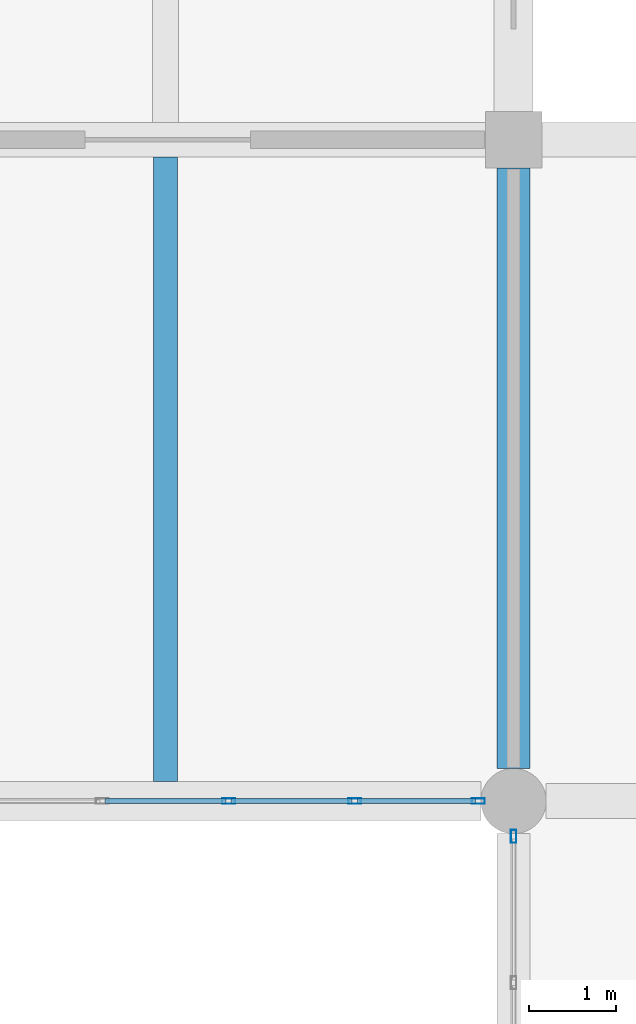
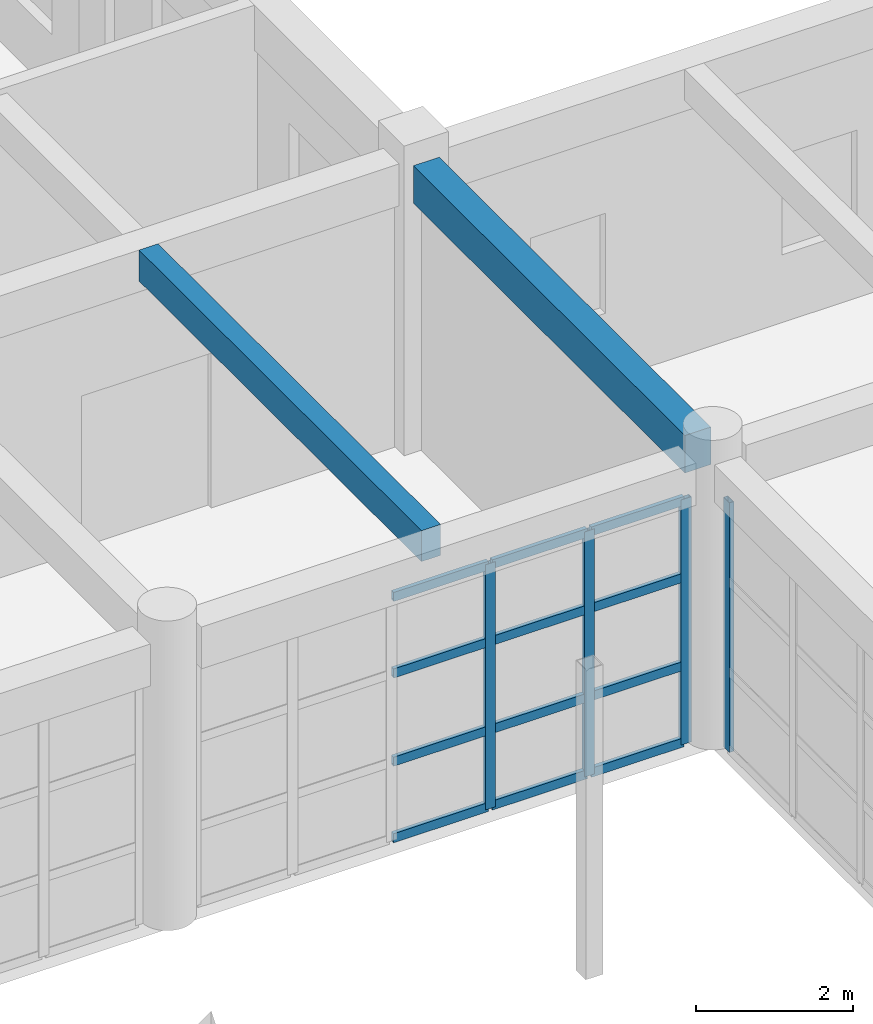
# One storey, part 59 of 101: 16 members, 2 beams, 2 elements without a shape of their own.
"""IFC4 building model written with IfcOpenShell, lengths in metres."""

from ifc_helpers import new_model, si_unit, direction, frame, origin, origin_2d, place, context, subcontext, project, spatial, rectangle, hollow_rectangle, extrude, material, material_profile, profile_set, type_object, element, aggregate, save


model = new_model("IFC4")

# Units and contexts
model_context = context("Model", 3, precision=1e-05, world=origin(), true_north=direction((0.0, 1.0)))
body_context = subcontext(model_context, "Body", "Model", "MODEL_VIEW")
ifc_project = project(units=[si_unit("LENGTHUNIT", "METRE"), si_unit("AREAUNIT", "SQUARE_METRE"), si_unit("VOLUMEUNIT", "CUBIC_METRE"), si_unit("PLANEANGLEUNIT", "RADIAN"), si_unit("MASSUNIT", "GRAM", prefix="KILO")], contexts=[model_context])

# Site, building, storey
site_placement = place(None, origin())
site = spatial("IfcSite", under=ifc_project, at=site_placement, CompositionType="ELEMENT")
building_placement = place(site_placement, origin())
building = spatial("IfcBuilding", under=site, at=building_placement, Name="Zantavel Square City Hall", CompositionType="ELEMENT")
storey_placement = place(building_placement, frame((0.0, 0.0, 5.39990234375)))
storey = spatial("IfcBuildingStorey", under=building, at=storey_placement, Name="L02", CompositionType="ELEMENT", Elevation=5.39990234375)

# Beam
ifc_material_1 = material(Name="Concrete C35/45", Category="concrete")
ifc_material_profile_1 = material_profile(ifc_material_1, rectangle(XDim=0.3798828125, YDim=0.580078125, at=origin_2d()), Name="RC 380x580")
ifc_profile_set_1 = profile_set([ifc_material_profile_1], Name="Concrete C35/45")
beam_type_1 = type_object("IfcBeamType", Name="Annex Secondary Beam RC 380x580 C35/45", PredefinedType="BEAM", material=ifc_profile_set_1)
beam_1_placement = place(storey_placement, frame((152.0, 68.77490234375, 4.16015625), z_axis=(0.0, 1.0, 0.0), x_axis=(-1.0, 0.0, 0.0)))
element("IfcBeam", 1, at=beam_1_placement, inside=storey, type_object=beam_type_1, Name="L02 Beam BMY-L02-1520-0684", PredefinedType="BEAM", context=body_context, shape_type="SweptSolid", body=[
    extrude(rectangle(XDim=0.3798828125, YDim=0.580078125, at=origin_2d()), origin(), (0.0, 0.0, 1.0), 6.900146484375),
])

# Curtain wall, member
ifc_material_2 = material(Name="Anodised aluminium 6063-T6", Category="aluminium")
curtain_wall_type_1 = type_object("IfcCurtainWallType", Name="Curtain Wall CRT 6850x3870", PredefinedType="USERDEFINED", material=ifc_material_2)
curtain_wall_1_placement = place(storey_placement, origin())
curtain_wall_1 = element("IfcCurtainWall", 2, at=curtain_wall_1_placement, inside=storey, type_object=curtain_wall_type_1, Name="L02 Glazed Curtain Wall CW-L02-058", ObjectType="GLAZED CURTAIN WALL", PredefinedType="USERDEFINED")
ifc_material_profile_2 = material_profile(ifc_material_2, hollow_rectangle(XDim=0.06494140625, YDim=0.14990234375, WallThickness=0.00390625, at=origin_2d()), Name="ALU 65x150x4")
ifc_profile_set_2 = profile_set([ifc_material_profile_2], Name="Anodised aluminium 6063-T6")
member_type_1 = type_object("IfcMemberType", Name="CW Mullion ALU 65x150x4", PredefinedType="MULLION", material=ifc_profile_set_2)
member_1_placement = place(storey_placement, frame((152.0, 67.9951171875, 0.0), z_axis=(0.0, 0.0, 1.0), x_axis=(-1.0, 0.0, 0.0)))
member_1 = element("IfcMember", 3, at=member_1_placement, type_object=member_type_1, Name="CW-058 mullion 5", PredefinedType="MULLION", context=body_context, shape_type="SweptSolid", body=[
    extrude(hollow_rectangle(XDim=0.06494140625, YDim=0.14990234375, WallThickness=0.00390625, at=origin_2d()), origin(), (0.0, 0.0, 1.0), 3.8701171875),
])
aggregate(curtain_wall_1, [member_1])

# Curtain wall, members
curtain_wall_type_2 = type_object("IfcCurtainWallType", Name="Curtain Wall CRT 7250x3800", PredefinedType="USERDEFINED", material=ifc_material_2)
curtain_wall_2_placement = place(storey_placement, origin())
curtain_wall_2 = element("IfcCurtainWall", 4, at=curtain_wall_2_placement, inside=storey, type_object=curtain_wall_type_2, Name="L02 Glazed Curtain Wall CW-L02-059", ObjectType="GLAZED CURTAIN WALL", PredefinedType="USERDEFINED")
member_2_placement = place(storey_placement, frame((151.594970703125, 68.39990234375, 0.0), z_axis=(0.0, 0.0, 1.0), x_axis=(0.0, -1.0, 0.0)))
member_2 = element("IfcMember", 5, at=member_2_placement, type_object=member_type_1, Name="CW-059 mullion 1", PredefinedType="MULLION", context=body_context, shape_type="SweptSolid", body=[
    extrude(hollow_rectangle(XDim=0.06494140625, YDim=0.14990234375, WallThickness=0.00390625, at=origin_2d()), origin(), (0.0, 0.0, 1.0), 3.800048828125),
])
member_3_placement = place(storey_placement, frame((150.175048828125, 68.39990234375, 0.0), z_axis=(0.0, 0.0, 1.0), x_axis=(0.0, -1.0, 0.0)))
member_3 = element("IfcMember", 6, at=member_3_placement, type_object=member_type_1, Name="CW-059 mullion 2", PredefinedType="MULLION", context=body_context, shape_type="SweptSolid", body=[
    extrude(hollow_rectangle(XDim=0.06494140625, YDim=0.14990234375, WallThickness=0.00390625, at=origin_2d()), origin(), (0.0, 0.0, 1.0), 3.800048828125),
])
member_4_placement = place(storey_placement, frame((148.72509765625, 68.39990234375, 0.0), z_axis=(0.0, 0.0, 1.0), x_axis=(0.0, -1.0, 0.0)))
member_4 = element("IfcMember", 7, at=member_4_placement, type_object=member_type_1, Name="CW-059 mullion 3", PredefinedType="MULLION", context=body_context, shape_type="SweptSolid", body=[
    extrude(hollow_rectangle(XDim=0.06494140625, YDim=0.14990234375, WallThickness=0.00390625, at=origin_2d()), origin(), (0.0, 0.0, 1.0), 3.800048828125),
])
ifc_material_profile_3 = material_profile(ifc_material_2, hollow_rectangle(XDim=0.06005859375, YDim=0.139892578125, WallThickness=0.00390625, at=origin_2d()), Name="ALU 60x140x4")
ifc_profile_set_3 = profile_set([ifc_material_profile_3], Name="Anodised aluminium 6063-T6")
member_type_2 = type_object("IfcMemberType", Name="CW Transom ALU 60x140x4", PredefinedType="USERDEFINED", material=ifc_profile_set_3)
member_5_placement = place(storey_placement, frame((151.56494140625, 68.39990234375, 0.030029296875), z_axis=(-1.0, 0.0, 0.0), x_axis=(0.0, -1.0, 0.0)))
member_5 = element("IfcMember", 8, at=member_5_placement, type_object=member_type_2, Name="CW-059 transom 1.1", ObjectType="TRANSOM", PredefinedType="USERDEFINED", context=body_context, shape_type="SweptSolid", body=[
    extrude(hollow_rectangle(XDim=0.06005859375, YDim=0.139892578125, WallThickness=0.00390625, at=origin_2d()), origin(), (0.0, 0.0, 1.0), 1.35986328125),
])
member_6_placement = place(storey_placement, frame((151.56494140625, 68.39990234375, 1.216064453125), z_axis=(-1.0, 0.0, 0.0), x_axis=(0.0, -1.0, 0.0)))
member_6 = element("IfcMember", 9, at=member_6_placement, type_object=member_type_2, Name="CW-059 transom 1.2", ObjectType="TRANSOM", PredefinedType="USERDEFINED", context=body_context, shape_type="SweptSolid", body=[
    extrude(hollow_rectangle(XDim=0.06005859375, YDim=0.139892578125, WallThickness=0.00390625, at=origin_2d()), origin(), (0.0, 0.0, 1.0), 1.35986328125),
])
member_7_placement = place(storey_placement, frame((151.56494140625, 68.39990234375, 2.583984375), z_axis=(-1.0, 0.0, 0.0), x_axis=(0.0, -1.0, 0.0)))
member_7 = element("IfcMember", 10, at=member_7_placement, type_object=member_type_2, Name="CW-059 transom 1.3", ObjectType="TRANSOM", PredefinedType="USERDEFINED", context=body_context, shape_type="SweptSolid", body=[
    extrude(hollow_rectangle(XDim=0.06005859375, YDim=0.139892578125, WallThickness=0.00390625, at=origin_2d()), origin(), (0.0, 0.0, 1.0), 1.35986328125),
])
member_8_placement = place(storey_placement, frame((151.56494140625, 68.39990234375, 3.77001953125), z_axis=(-1.0, 0.0, 0.0), x_axis=(0.0, -1.0, 0.0)))
member_8 = element("IfcMember", 11, at=member_8_placement, type_object=member_type_2, Name="CW-059 transom 1.4", ObjectType="TRANSOM", PredefinedType="USERDEFINED", context=body_context, shape_type="SweptSolid", body=[
    extrude(hollow_rectangle(XDim=0.06005859375, YDim=0.139892578125, WallThickness=0.00390625, at=origin_2d()), origin(), (0.0, 0.0, 1.0), 1.35986328125),
])
member_9_placement = place(storey_placement, frame((150.14501953125, 68.39990234375, 0.030029296875), z_axis=(-1.0, 0.0, 0.0), x_axis=(0.0, -1.0, 0.0)))
member_9 = element("IfcMember", 12, at=member_9_placement, type_object=member_type_2, Name="CW-059 transom 2.1", ObjectType="TRANSOM", PredefinedType="USERDEFINED", context=body_context, shape_type="SweptSolid", body=[
    extrude(hollow_rectangle(XDim=0.06005859375, YDim=0.139892578125, WallThickness=0.00390625, at=origin_2d()), origin(), (0.0, 0.0, 1.0), 1.39013671875),
])
member_10_placement = place(storey_placement, frame((150.14501953125, 68.39990234375, 1.216064453125), z_axis=(-1.0, 0.0, 0.0), x_axis=(0.0, -1.0, 0.0)))
member_10 = element("IfcMember", 13, at=member_10_placement, type_object=member_type_2, Name="CW-059 transom 2.2", ObjectType="TRANSOM", PredefinedType="USERDEFINED", context=body_context, shape_type="SweptSolid", body=[
    extrude(hollow_rectangle(XDim=0.06005859375, YDim=0.139892578125, WallThickness=0.00390625, at=origin_2d()), origin(), (0.0, 0.0, 1.0), 1.39013671875),
])
member_11_placement = place(storey_placement, frame((150.14501953125, 68.39990234375, 2.583984375), z_axis=(-1.0, 0.0, 0.0), x_axis=(0.0, -1.0, 0.0)))
member_11 = element("IfcMember", 14, at=member_11_placement, type_object=member_type_2, Name="CW-059 transom 2.3", ObjectType="TRANSOM", PredefinedType="USERDEFINED", context=body_context, shape_type="SweptSolid", body=[
    extrude(hollow_rectangle(XDim=0.06005859375, YDim=0.139892578125, WallThickness=0.00390625, at=origin_2d()), origin(), (0.0, 0.0, 1.0), 1.39013671875),
])
member_12_placement = place(storey_placement, frame((150.14501953125, 68.39990234375, 3.77001953125), z_axis=(-1.0, 0.0, 0.0), x_axis=(0.0, -1.0, 0.0)))
member_12 = element("IfcMember", 15, at=member_12_placement, type_object=member_type_2, Name="CW-059 transom 2.4", ObjectType="TRANSOM", PredefinedType="USERDEFINED", context=body_context, shape_type="SweptSolid", body=[
    extrude(hollow_rectangle(XDim=0.06005859375, YDim=0.139892578125, WallThickness=0.00390625, at=origin_2d()), origin(), (0.0, 0.0, 1.0), 1.39013671875),
])
member_13_placement = place(storey_placement, frame((148.695068359375, 68.39990234375, 0.030029296875), z_axis=(-1.0, 0.0, 0.0), x_axis=(0.0, -1.0, 0.0)))
member_13 = element("IfcMember", 16, at=member_13_placement, type_object=member_type_2, Name="CW-059 transom 3.1", ObjectType="TRANSOM", PredefinedType="USERDEFINED", context=body_context, shape_type="SweptSolid", body=[
    extrude(hollow_rectangle(XDim=0.06005859375, YDim=0.139892578125, WallThickness=0.00390625, at=origin_2d()), origin(), (0.0, 0.0, 1.0), 1.39013671875),
])
member_14_placement = place(storey_placement, frame((148.695068359375, 68.39990234375, 1.216064453125), z_axis=(-1.0, 0.0, 0.0), x_axis=(0.0, -1.0, 0.0)))
member_14 = element("IfcMember", 17, at=member_14_placement, type_object=member_type_2, Name="CW-059 transom 3.2", ObjectType="TRANSOM", PredefinedType="USERDEFINED", context=body_context, shape_type="SweptSolid", body=[
    extrude(hollow_rectangle(XDim=0.06005859375, YDim=0.139892578125, WallThickness=0.00390625, at=origin_2d()), origin(), (0.0, 0.0, 1.0), 1.39013671875),
])
member_15_placement = place(storey_placement, frame((148.695068359375, 68.39990234375, 2.583984375), z_axis=(-1.0, 0.0, 0.0), x_axis=(0.0, -1.0, 0.0)))
member_15 = element("IfcMember", 18, at=member_15_placement, type_object=member_type_2, Name="CW-059 transom 3.3", ObjectType="TRANSOM", PredefinedType="USERDEFINED", context=body_context, shape_type="SweptSolid", body=[
    extrude(hollow_rectangle(XDim=0.06005859375, YDim=0.139892578125, WallThickness=0.00390625, at=origin_2d()), origin(), (0.0, 0.0, 1.0), 1.39013671875),
])
member_16_placement = place(storey_placement, frame((148.695068359375, 68.39990234375, 3.77001953125), z_axis=(-1.0, 0.0, 0.0), x_axis=(0.0, -1.0, 0.0)))
member_16 = element("IfcMember", 19, at=member_16_placement, type_object=member_type_2, Name="CW-059 transom 3.4", ObjectType="TRANSOM", PredefinedType="USERDEFINED", context=body_context, shape_type="SweptSolid", body=[
    extrude(hollow_rectangle(XDim=0.06005859375, YDim=0.139892578125, WallThickness=0.00390625, at=origin_2d()), origin(), (0.0, 0.0, 1.0), 1.39013671875),
])
aggregate(curtain_wall_2, [member_2, member_3, member_4, member_5, member_6, member_7, member_8, member_9, member_10, member_11, member_12, member_13, member_14, member_15, member_16])

# Beam
ifc_material_profile_4 = material_profile(ifc_material_1, rectangle(XDim=0.280029296875, YDim=0.47998046875, at=origin_2d()), Name="RC 280x480")
ifc_profile_set_4 = profile_set([ifc_material_profile_4], Name="Concrete C35/45")
beam_type_2 = type_object("IfcBeamType", Name="Terrace Deck Joist RC 280x480 C35/45", PredefinedType="JOIST", material=ifc_profile_set_4)
beam_2_placement = place(storey_placement, frame((148.0, 68.625, 4.210205078125), z_axis=(0.0, 1.0, 0.0), x_axis=(-1.0, 0.0, 0.0)))
element("IfcBeam", 20, at=beam_2_placement, inside=storey, type_object=beam_type_2, Name="L02 Floor Joist JST-L02-1480-0684", PredefinedType="JOIST", context=body_context, shape_type="SweptSolid", body=[
    extrude(rectangle(XDim=0.280029296875, YDim=0.47998046875, at=origin_2d()), origin(), (0.0, 0.0, 1.0), 7.175048828125),
])

save(model, "model.ifc")
